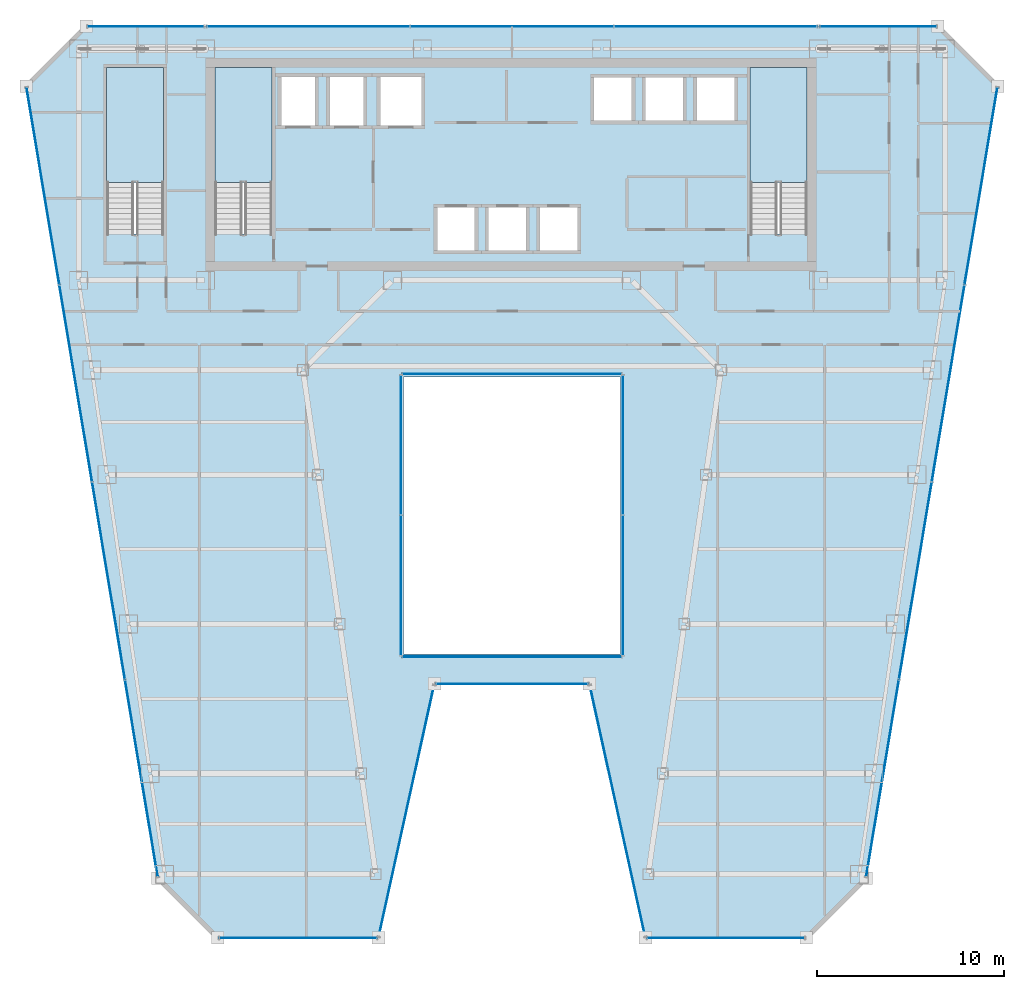
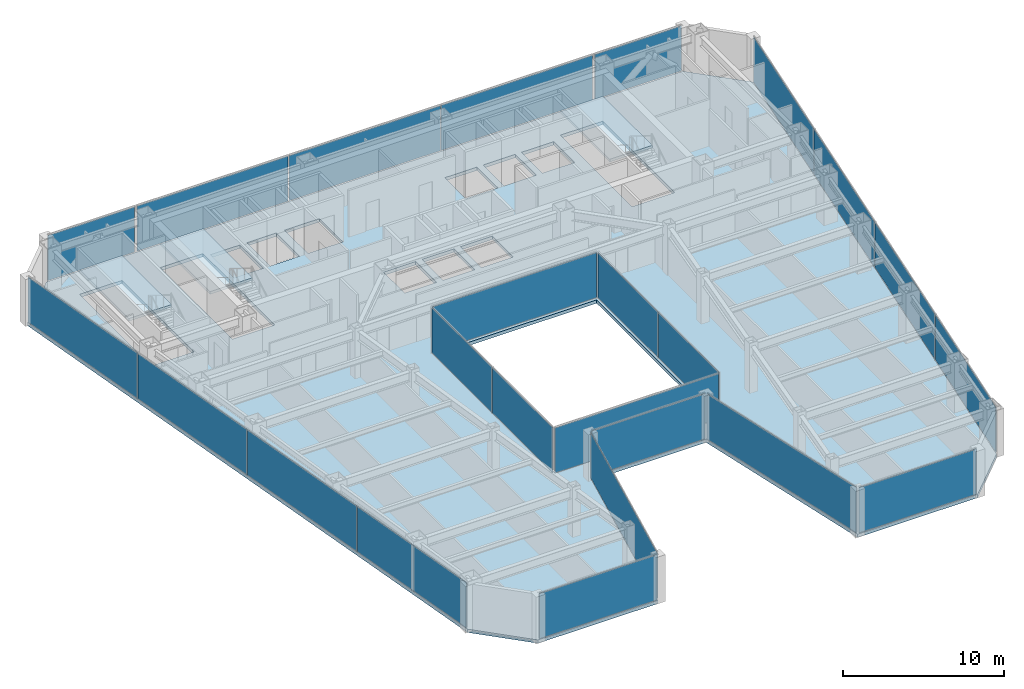
# One storey, part 30 of 38: 24 plates, 4 slabs, 17 elements without a shape of their own.
"""IFC4 building model written with IfcOpenShell, lengths in metres."""

import ifcopenshell
import ifcopenshell.guid

model = None  # the IFC model being written
_history = None  # IfcOwnerHistory: only IFC2X3 demands one
_inside = {}  # id of a spatial element -> (the spatial element, [elements in it])
_under = {}  # id of a project, library or spatial element -> (it, [spatial elements below it])
_declared = {}  # id of a project -> (the project, [libraries it declares])
_typed = {}  # id of a type object -> (the type object, [elements of that type])
_made_of = {}  # id of a material, layer set ... -> (it, [elements and type objects made of it])


def new_model(schema):
    """Start an empty IFC model of exactly this schema.

    Asked for "IFC4X3", IfcOpenShell would pick the latest addendum, in which some entities
    have other attributes; the version numbers below select the first issue.
    IFC2X3 requires an IfcOwnerHistory on every rooted entity: one is made here for all.
    """
    global model, _history
    if schema == "IFC4X3":
        model = ifcopenshell.file(schema_version=(4, 3, 0, 0))
    else:
        model = ifcopenshell.file(schema=schema)
    _inside.clear()
    _under.clear()
    _declared.clear()
    _typed.clear()
    _made_of.clear()
    _history = None
    if model.schema == "IFC2X3":
        org = make("IfcOrganization", Name="unknown")
        user = make(
            "IfcPersonAndOrganization",
            ThePerson=make("IfcPerson", FamilyName="unknown"),
            TheOrganization=org,
        )
        app = make(
            "IfcApplication",
            ApplicationDeveloper=org,
            Version="unknown",
            ApplicationFullName="unknown",
            ApplicationIdentifier="unknown",
        )
        _history = make(
            "IfcOwnerHistory",
            OwningUser=user,
            OwningApplication=app,
            ChangeAction="ADDED",
            CreationDate=0,
        )
    return model


def make(cls, **values):
    """One entity of the class cls with the attributes given. An attribute that is None is left unset."""
    return model.create_entity(
        cls, **{name: value for name, value in values.items() if value is not None}
    )


def rooted(cls, **values):
    """An entity with a GlobalId (a new one), such as an element, a storey or a relation."""
    return make(cls, GlobalId=ifcopenshell.guid.new(), OwnerHistory=_history, **values)


def si_unit(unit_type, name, prefix=None):
    """IfcSIUnit, for example si_unit("LENGTHUNIT", "METRE", prefix="MILLI")."""
    return make("IfcSIUnit", UnitType=unit_type, Prefix=prefix, Name=name)


def assignment(units):
    """IfcUnitAssignment: the units of a project."""
    return None if units is None else make("IfcUnitAssignment", Units=units)


def point(xyz):
    """IfcCartesianPoint."""
    return None if xyz is None else make("IfcCartesianPoint", Coordinates=xyz)


def direction(xyz):
    """IfcDirection."""
    return None if xyz is None else make("IfcDirection", DirectionRatios=xyz)


def frame(location, z_axis=None, x_axis=None):
    """IfcAxis2Placement3D, a coordinate frame: its origin and axes. An axis left out is left unset."""
    return make(
        "IfcAxis2Placement3D",
        Location=point(location),
        Axis=direction(z_axis),
        RefDirection=direction(x_axis),
    )


def frame_2d(location, x_axis=None):
    """IfcAxis2Placement2D, a coordinate frame in the plane: its origin and x axis."""
    return make(
        "IfcAxis2Placement2D", Location=point(location), RefDirection=direction(x_axis)
    )


def origin():
    """The frame at (0, 0, 0) with its axes left unset."""
    return frame((0.0, 0.0, 0.0))


def origin_2d():
    """The frame at (0, 0) in the plane with its x axis left unset."""
    return frame_2d((0.0, 0.0))


def place(relative_to, where):
    """IfcLocalPlacement: puts the frame where relative to a parent placement (None: the world)."""
    return make(
        "IfcLocalPlacement", PlacementRelTo=relative_to, RelativePlacement=where
    )


def context(
    kind, dimensions, precision=None, world=None, true_north=None, identifier=None
):
    """IfcGeometricRepresentationContext, for example the 3D "Model" context."""
    return make(
        "IfcGeometricRepresentationContext",
        ContextIdentifier=identifier,
        ContextType=kind,
        CoordinateSpaceDimension=dimensions,
        Precision=precision,
        WorldCoordinateSystem=world,
        TrueNorth=true_north,
    )


def subcontext(parent, identifier, kind, view, scale=None):
    """IfcGeometricRepresentationSubContext, for example "Body" below "Model"."""
    return make(
        "IfcGeometricRepresentationSubContext",
        ContextIdentifier=identifier,
        ContextType=kind,
        ParentContext=parent,
        TargetScale=scale,
        TargetView=view,
    )


def project(units=None, contexts=None):
    """IfcProject with its units and contexts."""
    return rooted(
        "IfcProject",
        Name="project",
        RepresentationContexts=contexts,
        UnitsInContext=assignment(units),
    )


def spatial(cls, under=None, at=None, **own):
    """A site, building, storey or space (cls), placed at a placement, below another one or the project."""
    s = rooted(cls, ObjectPlacement=at, **own)
    if under is not None:
        _under.setdefault(under.id(), (under, []))[1].append(s)
    return s


def polyline(points):
    """IfcPolyline through the points."""
    return make("IfcPolyline", Points=[point(p) for p in points])


def profile(cls, at=None, kind="AREA", **sizes):
    """A parametric profile (cls). Its sizes go by their IFC names, for example OverallWidth=200.0."""
    return make(cls, ProfileType=kind, Position=at, **sizes)


def rectangle(**sizes):
    """IfcRectangleProfileDef."""
    return profile("IfcRectangleProfileDef", **sizes)


def outline(outer, holes=None, kind="AREA"):
    """IfcArbitraryClosedProfileDef: a profile drawn as a closed curve; with holes, ...WithVoids."""
    if holes is None:
        return make("IfcArbitraryClosedProfileDef", ProfileType=kind, OuterCurve=outer)
    return make(
        "IfcArbitraryProfileDefWithVoids",
        ProfileType=kind,
        OuterCurve=outer,
        InnerCurves=holes,
    )


def extrude(swept, where, along, depth):
    """IfcExtrudedAreaSolid: the profile swept, set in the frame where, extruded along a direction by depth."""
    return make(
        "IfcExtrudedAreaSolid",
        SweptArea=swept,
        Position=where,
        ExtrudedDirection=direction(along),
        Depth=depth,
    )


def shape(context_of_items, identifier, shape_type, items):
    """IfcShapeRepresentation: the items that make up one representation, for example the "Body"."""
    return make(
        "IfcShapeRepresentation",
        ContextOfItems=context_of_items,
        RepresentationIdentifier=identifier,
        RepresentationType=shape_type,
        Items=items,
    )


def material(Name=None, Category=None):
    """IfcMaterial."""
    return make("IfcMaterial", Name=Name, Category=Category)


def layer(
    of_material, thickness, ventilated=None, Name=None, Category=None, Priority=None
):
    """IfcMaterialLayer: one layer of a wall or slab, of a material (None: an air gap)."""
    return make(
        "IfcMaterialLayer",
        Material=of_material,
        LayerThickness=thickness,
        IsVentilated=ventilated,
        Name=Name,
        Category=Category,
        Priority=Priority,
    )


def layer_set(layers, Name=None):
    """IfcMaterialLayerSet."""
    return make("IfcMaterialLayerSet", MaterialLayers=layers, LayerSetName=Name)


def made_of(thing, what):
    """Note that an element or type object is made of a material, layer set ...; save() writes the relation."""
    if what is not None:
        _made_of.setdefault(what.id(), (what, []))[1].append(thing)
    return thing


def type_object(cls, material=None, **own):
    """A type object (cls), such as IfcWallType, which elements share."""
    return made_of(rooted(cls, **own), material)


def element(
    cls,
    number,
    at=None,
    inside=None,
    cuts=None,
    type_object=None,
    material=None,
    context=None,
    identifier="Body",
    shape_type=None,
    held_by="IfcProductDefinitionShape",
    body=None,
    shapes=None,
    **own,
):
    """One element of the class cls, such as IfcWall. Its Tag is "e" and its number.

    at: its placement. inside: the storey or other place that contains it. cuts: it is an
    opening in that element (IfcRelVoidsElement). A single representation is given by context,
    identifier, shape_type and body (its items); several are given by shapes. held_by: the class
    of the entity that holds the representations. save() writes the other relations.
    """
    e = rooted(cls, Tag="e%d" % number, ObjectPlacement=at, **own)
    if body is not None:
        shapes = [shape(context, identifier, shape_type, body)]
    if shapes is not None:
        e.Representation = make(held_by, Representations=shapes)
    if inside is not None:
        _inside.setdefault(inside.id(), (inside, []))[1].append(e)
    if cuts is not None:
        rooted(
            "IfcRelVoidsElement", RelatingBuildingElement=cuts, RelatedOpeningElement=e
        )
    if type_object is not None:
        _typed.setdefault(type_object.id(), (type_object, []))[1].append(e)
    return made_of(e, material)


def aggregate(whole, parts):
    """IfcRelAggregates: a whole, such as a stair, and the parts it consists of."""
    return rooted("IfcRelAggregates", RelatingObject=whole, RelatedObjects=parts)


def save(model, path):
    """Write the relations noted so far, then the file.

    IfcRelAggregates (storeys below a building ...), IfcRelContainedInSpatialStructure (elements
    in a storey), IfcRelDefinesByType, IfcRelAssociatesMaterial and IfcRelDeclares: one each for
    every whole, place, type object, material and project.
    """
    for whole, parts in _under.values():
        aggregate(whole, parts)
    for where, things in _inside.values():
        rooted(
            "IfcRelContainedInSpatialStructure",
            RelatedElements=things,
            RelatingStructure=where,
        )
    for kind, things in _typed.values():
        rooted("IfcRelDefinesByType", RelatedObjects=things, RelatingType=kind)
    for what, things in _made_of.values():
        rooted("IfcRelAssociatesMaterial", RelatedObjects=things, RelatingMaterial=what)
    for by, libraries in _declared.values():
        rooted("IfcRelDeclares", RelatingContext=by, RelatedDefinitions=libraries)
    model.write(path)


model = new_model("IFC4")

# Units and contexts
model_context = context("Model", 3, precision=1e-05, world=origin(), true_north=direction((0.0, 1.0)))
body_context = subcontext(model_context, "Body", "Model", "MODEL_VIEW")
ifc_project = project(units=[si_unit("LENGTHUNIT", "METRE"), si_unit("AREAUNIT", "SQUARE_METRE"), si_unit("VOLUMEUNIT", "CUBIC_METRE"), si_unit("PLANEANGLEUNIT", "RADIAN"), si_unit("MASSUNIT", "GRAM", prefix="KILO")], contexts=[model_context])

# Site, building, storey
site_placement = place(None, origin())
site = spatial("IfcSite", under=ifc_project, at=site_placement, CompositionType="ELEMENT")
building_placement = place(site_placement, origin())
building = spatial("IfcBuilding", under=site, at=building_placement, Name="Saevonmaru Cultural Tower", CompositionType="ELEMENT")
storey_placement = place(building_placement, frame((0.0, 0.0, 137.199951171875)))
storey = spatial("IfcBuildingStorey", under=building, at=storey_placement, Name="L29", CompositionType="ELEMENT", Elevation=137.199951171875)

# Curtain wall, plate
ifc_material_1 = material(Name="Satin Bronze Anodised Aluminium", Category="aluminium")
curtain_wall_type_1 = type_object("IfcCurtainWallType", Name="CW-ATR-GLZ", PredefinedType="NOTDEFINED", material=ifc_material_1)
curtain_wall_1_placement = place(storey_placement, origin())
curtain_wall_1 = element("IfcCurtainWall", 1, at=curtain_wall_1_placement, inside=storey, type_object=curtain_wall_type_1, Name="L29 Vertical Atrium Glazed Smoke Screen 1", PredefinedType="NOTDEFINED")
ifc_material_2 = material(Name="Fire-Rated Laminated Atrium Glass", Category="glass")
ifc_layer_1 = layer(ifc_material_2, 0.031982421875, Name="Fire-Rated Laminated Atrium Glass")
ifc_layer_set_1 = layer_set([ifc_layer_1], Name="Fire-Rated Laminated Atrium Glass")
plate_type_1 = type_object("IfcPlateType", Name="PN-GLZ-ATR-INT", PredefinedType="CURTAIN_PANEL", material=ifc_layer_set_1)
plate_1_placement = place(storey_placement, frame((30.0, 22.25, 0.067138671875), z_axis=(0.0, 0.0, 1.0), x_axis=(1.0, 0.0, 0.0)))
plate_1 = element("IfcPlate", 2, at=plate_1_placement, type_object=plate_type_1, Name="CW-ATR-L29-1 panel 1.1", PredefinedType="CURTAIN_PANEL", context=body_context, shape_type="SweptSolid", body=[
    extrude(rectangle(XDim=11.7109375, YDim=0.031982421875, at=origin_2d()), origin(), (0.0, 0.0, 1.0), 3.416015625),
])
aggregate(curtain_wall_1, [plate_1])

# Curtain wall, plates
curtain_wall_2_placement = place(storey_placement, origin())
curtain_wall_2 = element("IfcCurtainWall", 3, at=curtain_wall_2_placement, inside=storey, type_object=curtain_wall_type_1, Name="L29 Vertical Atrium Glazed Smoke Screen 2", PredefinedType="NOTDEFINED")
plate_2_placement = place(storey_placement, frame((35.949951171875, 26.06494140625, 0.067138671875), z_axis=(0.0, 0.0, 1.0), x_axis=(0.0, 1.0, 0.0)))
plate_2 = element("IfcPlate", 4, at=plate_2_placement, type_object=plate_type_1, Name="CW-ATR-L29-2 panel 1.1", PredefinedType="CURTAIN_PANEL", context=body_context, shape_type="SweptSolid", body=[
    extrude(rectangle(XDim=7.44091796875, YDim=0.031982421875, at=origin_2d()), origin(), (0.0, 0.0, 1.0), 3.416015625),
])
plate_3_placement = place(storey_placement, frame((35.949951171875, 33.574951171875, 0.067138671875), z_axis=(0.0, 0.0, 1.0), x_axis=(0.0, 1.0, 0.0)))
plate_3 = element("IfcPlate", 5, at=plate_3_placement, type_object=plate_type_1, Name="CW-ATR-L29-2 panel 2.1", PredefinedType="CURTAIN_PANEL", context=body_context, shape_type="SweptSolid", body=[
    extrude(rectangle(XDim=7.44091796875, YDim=0.031982421875, at=origin_2d()), origin(), (0.0, 0.0, 1.0), 3.416015625),
])
aggregate(curtain_wall_2, [plate_2, plate_3])

# Curtain wall, plate
curtain_wall_3_placement = place(storey_placement, origin())
curtain_wall_3 = element("IfcCurtainWall", 6, at=curtain_wall_3_placement, inside=storey, type_object=curtain_wall_type_1, Name="L29 Vertical Atrium Glazed Smoke Screen 3", PredefinedType="NOTDEFINED")
plate_4_placement = place(storey_placement, frame((30.0, 37.389892578125, 0.067138671875), z_axis=(0.0, 0.0, 1.0), x_axis=(-1.0, 0.0, 0.0)))
plate_4 = element("IfcPlate", 7, at=plate_4_placement, type_object=plate_type_1, Name="CW-ATR-L29-3 panel 1.1", PredefinedType="CURTAIN_PANEL", context=body_context, shape_type="SweptSolid", body=[
    extrude(rectangle(XDim=11.7109375, YDim=0.031982421875, at=origin_2d()), origin(), (0.0, 0.0, 1.0), 3.416015625),
])
aggregate(curtain_wall_3, [plate_4])

# Curtain wall, plates
curtain_wall_4_placement = place(storey_placement, origin())
curtain_wall_4 = element("IfcCurtainWall", 8, at=curtain_wall_4_placement, inside=storey, type_object=curtain_wall_type_1, Name="L29 Vertical Atrium Glazed Smoke Screen 4", PredefinedType="NOTDEFINED")
plate_5_placement = place(storey_placement, frame((24.050048828125, 33.574951171875, 0.067138671875), z_axis=(0.0, 0.0, 1.0), x_axis=(0.0, -1.0, 0.0)))
plate_5 = element("IfcPlate", 9, at=plate_5_placement, type_object=plate_type_1, Name="CW-ATR-L29-4 panel 1.1", PredefinedType="CURTAIN_PANEL", context=body_context, shape_type="SweptSolid", body=[
    extrude(rectangle(XDim=7.44091796875, YDim=0.031982421875, at=origin_2d()), origin(), (0.0, 0.0, 1.0), 3.416015625),
])
plate_6_placement = place(storey_placement, frame((24.050048828125, 26.06494140625, 0.067138671875), z_axis=(0.0, 0.0, 1.0), x_axis=(0.0, -1.0, 0.0)))
plate_6 = element("IfcPlate", 10, at=plate_6_placement, type_object=plate_type_1, Name="CW-ATR-L29-4 panel 2.1", PredefinedType="CURTAIN_PANEL", context=body_context, shape_type="SweptSolid", body=[
    extrude(rectangle(XDim=7.44091796875, YDim=0.031982421875, at=origin_2d()), origin(), (0.0, 0.0, 1.0), 3.416015625),
])
aggregate(curtain_wall_4, [plate_5, plate_6])

# Curtain wall, plate
curtain_wall_type_2 = type_object("IfcCurtainWallType", Name="CW-TYP-A", PredefinedType="NOTDEFINED", material=ifc_material_1)
curtain_wall_5_placement = place(storey_placement, origin())
curtain_wall_5 = element("IfcCurtainWall", 11, at=curtain_wall_5_placement, inside=storey, type_object=curtain_wall_type_2, Name="L29 Unitised Curtain Wall E2", PredefinedType="NOTDEFINED")
ifc_material_3 = material(Name="Triple Silver Low-E Insulating Glass", Category="glass")
ifc_layer_2 = layer(ifc_material_3, 0.035888671875, Name="Triple Silver Low-E Insulating Glass")
ifc_layer_set_2 = layer_set([ifc_layer_2], Name="Triple Silver Low-E Insulating Glass")
plate_type_2 = type_object("IfcPlateType", Name="PN-GLZ-IGU", PredefinedType="CURTAIN_PANEL", material=ifc_layer_set_2)
plate_7_placement = place(storey_placement, frame((18.548828125, 7.199951171875, 0.067138671875), z_axis=(0.0, 0.0, 1.0), x_axis=(1.0, 0.0, 0.0)))
plate_7 = element("IfcPlate", 12, at=plate_7_placement, type_object=plate_type_2, Name="CW-TW-L29-E2 panel 1.1", PredefinedType="CURTAIN_PANEL", context=body_context, shape_type="SweptSolid", body=[
    extrude(rectangle(XDim=8.410888671875, YDim=0.035888671875, at=origin_2d()), origin(), (0.0, 0.0, 1.0), 3.416015625),
])
aggregate(curtain_wall_5, [plate_7])

curtain_wall_6_placement = place(storey_placement, origin())
curtain_wall_6 = element("IfcCurtainWall", 13, at=curtain_wall_6_placement, inside=storey, type_object=curtain_wall_type_2, Name="L29 Unitised Curtain Wall E3", PredefinedType="NOTDEFINED")
plate_8_placement = place(storey_placement, frame((24.348876953125, 14.0, 0.067138671875), z_axis=(0.0, 0.0, 1.0), x_axis=(0.215413319953, 0.976522965212, 0.0)))
plate_8 = element("IfcPlate", 14, at=plate_8_placement, type_object=plate_type_2, Name="CW-TW-L29-E3 panel 1.1", PredefinedType="CURTAIN_PANEL", context=body_context, shape_type="SweptSolid", body=[
    extrude(rectangle(XDim=13.738037109375, YDim=0.035888671875, at=origin_2d()), origin(), (0.0, 0.0, 1.0), 3.416015625),
])
aggregate(curtain_wall_6, [plate_8])

curtain_wall_7_placement = place(storey_placement, origin())
curtain_wall_7 = element("IfcCurtainWall", 15, at=curtain_wall_7_placement, inside=storey, type_object=curtain_wall_type_2, Name="L29 Unitised Curtain Wall E4", PredefinedType="NOTDEFINED")
plate_9_placement = place(storey_placement, frame((30.0, 20.800048828125, 0.067138671875), z_axis=(0.0, 0.0, 1.0), x_axis=(1.0, 0.0, 0.0)))
plate_9 = element("IfcPlate", 16, at=plate_9_placement, type_object=plate_type_2, Name="CW-TW-L29-E4 panel 1.1", PredefinedType="CURTAIN_PANEL", context=body_context, shape_type="SweptSolid", body=[
    extrude(rectangle(XDim=8.11328125, YDim=0.035888671875, at=origin_2d()), origin(), (0.0, 0.0, 1.0), 3.416015625),
])
aggregate(curtain_wall_7, [plate_9])

curtain_wall_8_placement = place(storey_placement, origin())
curtain_wall_8 = element("IfcCurtainWall", 17, at=curtain_wall_8_placement, inside=storey, type_object=curtain_wall_type_2, Name="L29 Unitised Curtain Wall E5", PredefinedType="NOTDEFINED")
plate_10_placement = place(storey_placement, frame((35.651123046875, 14.0, 0.067138671875), z_axis=(0.0, 0.0, 1.0), x_axis=(0.215413319953, -0.976522965212, 0.0)))
plate_10 = element("IfcPlate", 18, at=plate_10_placement, type_object=plate_type_2, Name="CW-TW-L29-E5 panel 1.1", PredefinedType="CURTAIN_PANEL", context=body_context, shape_type="SweptSolid", body=[
    extrude(rectangle(XDim=13.738037109375, YDim=0.035888671875, at=origin_2d()), origin(), (0.0, 0.0, 1.0), 3.416015625),
])
aggregate(curtain_wall_8, [plate_10])

curtain_wall_9_placement = place(storey_placement, origin())
curtain_wall_9 = element("IfcCurtainWall", 19, at=curtain_wall_9_placement, inside=storey, type_object=curtain_wall_type_2, Name="L29 Unitised Curtain Wall E6", PredefinedType="NOTDEFINED")
plate_11_placement = place(storey_placement, frame((41.451171875, 7.199951171875, 0.067138671875), z_axis=(0.0, 0.0, 1.0), x_axis=(1.0, 0.0, 0.0)))
plate_11 = element("IfcPlate", 20, at=plate_11_placement, type_object=plate_type_2, Name="CW-TW-L29-E6 panel 1.1", PredefinedType="CURTAIN_PANEL", context=body_context, shape_type="SweptSolid", body=[
    extrude(rectangle(XDim=8.410888671875, YDim=0.035888671875, at=origin_2d()), origin(), (0.0, 0.0, 1.0), 3.416015625),
])
aggregate(curtain_wall_9, [plate_11])

# Curtain wall, plates
curtain_wall_10_placement = place(storey_placement, origin())
curtain_wall_10 = element("IfcCurtainWall", 21, at=curtain_wall_10_placement, inside=storey, type_object=curtain_wall_type_2, Name="L29 Unitised Curtain Wall E8", PredefinedType="NOTDEFINED")
plate_12_placement = place(storey_placement, frame((49.839599609375, 15.744384765625, 0.067138671875), z_axis=(0.0, 0.0, 1.0), x_axis=(0.163998702345, 0.986460554523, 0.0)))
plate_12 = element("IfcPlate", 22, at=plate_12_placement, type_object=plate_type_2, Name="CW-TW-L29-E8 panel 1.1", PredefinedType="CURTAIN_PANEL", context=body_context, shape_type="SweptSolid", body=[
    extrude(rectangle(XDim=10.646484375, YDim=0.035888671875, at=origin_2d()), origin(), (0.0, 0.0, 1.0), 3.416015625),
])
plate_13_placement = place(storey_placement, frame((51.596923828125, 26.314697265625, 0.067138671875), z_axis=(0.0, 0.0, 1.0), x_axis=(0.163998702345, 0.986460554523, 0.0)))
plate_13 = element("IfcPlate", 23, at=plate_13_placement, type_object=plate_type_2, Name="CW-TW-L29-E8 panel 2.1", PredefinedType="CURTAIN_PANEL", context=body_context, shape_type="SweptSolid", body=[
    extrude(rectangle(XDim=10.646484375, YDim=0.035888671875, at=origin_2d()), origin(), (0.0, 0.0, 1.0), 3.416015625),
])
plate_14_placement = place(storey_placement, frame((53.354248046875, 36.88525390625, 0.067138671875), z_axis=(0.0, 0.0, 1.0), x_axis=(0.163998702345, 0.986460554523, 0.0)))
plate_14 = element("IfcPlate", 24, at=plate_14_placement, type_object=plate_type_2, Name="CW-TW-L29-E8 panel 3.1", PredefinedType="CURTAIN_PANEL", context=body_context, shape_type="SweptSolid", body=[
    extrude(rectangle(XDim=10.646484375, YDim=0.035888671875, at=origin_2d()), origin(), (0.0, 0.0, 1.0), 3.416015625),
])
plate_15_placement = place(storey_placement, frame((55.111572265625, 47.45556640625, 0.067138671875), z_axis=(0.0, 0.0, 1.0), x_axis=(0.163998702345, 0.986460554523, 0.0)))
plate_15 = element("IfcPlate", 25, at=plate_15_placement, type_object=plate_type_2, Name="CW-TW-L29-E8 panel 4.1", PredefinedType="CURTAIN_PANEL", context=body_context, shape_type="SweptSolid", body=[
    extrude(rectangle(XDim=10.646484375, YDim=0.035888671875, at=origin_2d()), origin(), (0.0, 0.0, 1.0), 3.416015625),
])
aggregate(curtain_wall_10, [plate_12, plate_13, plate_14, plate_15])

curtain_wall_11_placement = place(storey_placement, origin())
curtain_wall_11 = element("IfcCurtainWall", 26, at=curtain_wall_11_placement, inside=storey, type_object=curtain_wall_type_2, Name="L29 North Spine Unitised Curtain Wall E10B", PredefinedType="NOTDEFINED")
plate_16_placement = place(storey_placement, frame((40.893310546875, 56.0, 0.067138671875), z_axis=(0.0, 0.0, 1.0), x_axis=(-1.0, 0.0, 0.0)))
plate_16 = element("IfcPlate", 27, at=plate_16_placement, type_object=plate_type_2, Name="CW-TW-L29-E10B panel 1.1", PredefinedType="CURTAIN_PANEL", context=body_context, shape_type="SweptSolid", body=[
    extrude(rectangle(XDim=10.82421875, YDim=0.035888671875, at=origin_2d()), origin(), (0.0, 0.0, 1.0), 3.416015625),
])
plate_17_placement = place(storey_placement, frame((30.0, 56.0, 0.067138671875), z_axis=(0.0, 0.0, 1.0), x_axis=(-1.0, 0.0, 0.0)))
plate_17 = element("IfcPlate", 28, at=plate_17_placement, type_object=plate_type_2, Name="CW-TW-L29-E10B panel 2.1", PredefinedType="CURTAIN_PANEL", context=body_context, shape_type="SweptSolid", body=[
    extrude(rectangle(XDim=10.82421875, YDim=0.035888671875, at=origin_2d()), origin(), (0.0, 0.0, 1.0), 3.416015625),
])
plate_18_placement = place(storey_placement, frame((19.106689453125, 56.0, 0.067138671875), z_axis=(0.0, 0.0, 1.0), x_axis=(-1.0, 0.0, 0.0)))
plate_18 = element("IfcPlate", 29, at=plate_18_placement, type_object=plate_type_2, Name="CW-TW-L29-E10B panel 3.1", PredefinedType="CURTAIN_PANEL", context=body_context, shape_type="SweptSolid", body=[
    extrude(rectangle(XDim=10.82421875, YDim=0.035888671875, at=origin_2d()), origin(), (0.0, 0.0, 1.0), 3.416015625),
])
aggregate(curtain_wall_11, [plate_16, plate_17, plate_18])

curtain_wall_12_placement = place(storey_placement, origin())
curtain_wall_12 = element("IfcCurtainWall", 30, at=curtain_wall_12_placement, inside=storey, type_object=curtain_wall_type_2, Name="L29 Unitised Curtain Wall E12", PredefinedType="NOTDEFINED")
plate_19_placement = place(storey_placement, frame((4.888427734375, 47.45556640625, 0.067138671875), z_axis=(0.0, 0.0, 1.0), x_axis=(0.163998702345, -0.986460554523, 0.0)))
plate_19 = element("IfcPlate", 31, at=plate_19_placement, type_object=plate_type_2, Name="CW-TW-L29-E12 panel 1.1", PredefinedType="CURTAIN_PANEL", context=body_context, shape_type="SweptSolid", body=[
    extrude(rectangle(XDim=10.646484375, YDim=0.035888671875, at=origin_2d()), origin(), (0.0, 0.0, 1.0), 3.416015625),
])
plate_20_placement = place(storey_placement, frame((6.645751953125, 36.88525390625, 0.067138671875), z_axis=(0.0, 0.0, 1.0), x_axis=(0.163998702345, -0.986460554523, 0.0)))
plate_20 = element("IfcPlate", 32, at=plate_20_placement, type_object=plate_type_2, Name="CW-TW-L29-E12 panel 2.1", PredefinedType="CURTAIN_PANEL", context=body_context, shape_type="SweptSolid", body=[
    extrude(rectangle(XDim=10.646484375, YDim=0.035888671875, at=origin_2d()), origin(), (0.0, 0.0, 1.0), 3.416015625),
])
plate_21_placement = place(storey_placement, frame((8.403076171875, 26.314697265625, 0.067138671875), z_axis=(0.0, 0.0, 1.0), x_axis=(0.163998702345, -0.986460554523, 0.0)))
plate_21 = element("IfcPlate", 33, at=plate_21_placement, type_object=plate_type_2, Name="CW-TW-L29-E12 panel 3.1", PredefinedType="CURTAIN_PANEL", context=body_context, shape_type="SweptSolid", body=[
    extrude(rectangle(XDim=10.646484375, YDim=0.035888671875, at=origin_2d()), origin(), (0.0, 0.0, 1.0), 3.416015625),
])
plate_22_placement = place(storey_placement, frame((10.160400390625, 15.744384765625, 0.067138671875), z_axis=(0.0, 0.0, 1.0), x_axis=(0.163998702345, -0.986460554523, 0.0)))
plate_22 = element("IfcPlate", 34, at=plate_22_placement, type_object=plate_type_2, Name="CW-TW-L29-E12 panel 4.1", PredefinedType="CURTAIN_PANEL", context=body_context, shape_type="SweptSolid", body=[
    extrude(rectangle(XDim=10.646484375, YDim=0.035888671875, at=origin_2d()), origin(), (0.0, 0.0, 1.0), 3.416015625),
])
aggregate(curtain_wall_12, [plate_19, plate_20, plate_21, plate_22])

# Curtain wall, plate
curtain_wall_13_placement = place(storey_placement, origin())
curtain_wall_13 = element("IfcCurtainWall", 35, at=curtain_wall_13_placement, inside=storey, type_object=curtain_wall_type_2, Name="L29 East Braced Bay Spandrel Curtain Wall E10A", PredefinedType="NOTDEFINED")
ifc_material_4 = material(Name="Insulated Satin Bronze Aluminium Spandrel Panel", Category="aluminium")
ifc_layer_3 = layer(ifc_material_4, 0.0400390625, Name="Insulated Satin Bronze Aluminium Spandrel Panel")
ifc_layer_set_3 = layer_set([ifc_layer_3], Name="Insulated Satin Bronze Aluminium Spandrel Panel")
plate_type_3 = type_object("IfcPlateType", Name="PN-SPANDREL-BRONZE", PredefinedType="CURTAIN_PANEL", material=ifc_layer_set_3)
plate_23_placement = place(storey_placement, frame((49.60009765625, 56.0, 0.067138671875), z_axis=(0.0, 0.0, 1.0), x_axis=(-1.0, 0.0, 0.0)))
plate_23 = element("IfcPlate", 36, at=plate_23_placement, type_object=plate_type_3, Name="CW-TW-L29-E10A panel 1.1", PredefinedType="CURTAIN_PANEL", context=body_context, shape_type="SweptSolid", body=[
    extrude(rectangle(XDim=6.2109375, YDim=0.035888671875, at=origin_2d()), origin(), (0.0, 0.0, 1.0), 3.416015625),
])
aggregate(curtain_wall_13, [plate_23])

curtain_wall_14_placement = place(storey_placement, origin())
curtain_wall_14 = element("IfcCurtainWall", 37, at=curtain_wall_14_placement, inside=storey, type_object=curtain_wall_type_2, Name="L29 West Braced Bay Spandrel Curtain Wall E10C", PredefinedType="NOTDEFINED")
plate_24_placement = place(storey_placement, frame((10.39990234375, 56.0, 0.067138671875), z_axis=(0.0, 0.0, 1.0), x_axis=(-1.0, 0.0, 0.0)))
plate_24 = element("IfcPlate", 38, at=plate_24_placement, type_object=plate_type_3, Name="CW-TW-L29-E10C panel 1.1", PredefinedType="CURTAIN_PANEL", context=body_context, shape_type="SweptSolid", body=[
    extrude(rectangle(XDim=6.2109375, YDim=0.035888671875, at=origin_2d()), origin(), (0.0, 0.0, 1.0), 3.416015625),
])
aggregate(curtain_wall_14, [plate_24])

# Slab
ifc_material_5 = material(Name="Concrete C40/50", Category="concrete")
ifc_layer_4 = layer(ifc_material_5, 0.25, Name="Concrete C40/50")
ifc_layer_set_4 = layer_set([ifc_layer_4], Name="Concrete C40/50")
slab_type_1 = type_object("IfcSlabType", Name="SL-FLR-250", PredefinedType="FLOOR", material=ifc_layer_set_4)
slab_1_placement = place(storey_placement, frame((0.0, 0.0, -0.25)))
element("IfcSlab", 39, at=slab_1_placement, inside=storey, type_object=slab_type_1, Name="L29 Tower Structural Floor Slab", PredefinedType="FLOOR", context=body_context, shape_type="SweptSolid", body=[
    extrude(outline(polyline([(11.048828125, 10.39990234375), (14.248779296875, 7.199951171875), (22.848876953125, 7.199951171875), (25.848876953125, 20.800048828125), (34.151123046875, 20.800048828125), (37.151123046875, 7.199951171875), (45.751220703125, 7.199951171875), (48.951171875, 10.39990234375), (56.0, 52.800048828125), (52.800048828125, 56.0), (7.199951171875, 56.0), (4.0, 52.800048828125), (11.048828125, 10.39990234375)]), holes=[polyline([(45.800048828125, 44.875), (42.75, 44.875), (42.75, 53.800048828125), (45.800048828125, 53.800048828125), (45.800048828125, 44.875)]), polyline([(39.75, 50.800048828125), (39.75, 53.39990234375), (42.050048828125, 53.39990234375), (42.050048828125, 50.800048828125), (39.75, 50.800048828125)]), polyline([(37.0, 50.800048828125), (37.0, 53.39990234375), (39.300048828125, 53.39990234375), (39.300048828125, 50.800048828125), (37.0, 50.800048828125)]), polyline([(34.25, 50.800048828125), (34.25, 53.39990234375), (36.550048828125, 53.39990234375), (36.550048828125, 50.800048828125), (34.25, 50.800048828125)]), polyline([(24.199951171875, 22.39990234375), (24.199951171875, 37.239990234375), (35.800048828125, 37.239990234375), (35.800048828125, 22.39990234375), (24.199951171875, 22.39990234375)]), polyline([(31.35009765625, 43.85009765625), (31.35009765625, 46.449951171875), (33.64990234375, 46.449951171875), (33.64990234375, 43.85009765625), (31.35009765625, 43.85009765625)]), polyline([(28.60009765625, 43.85009765625), (28.60009765625, 46.449951171875), (30.89990234375, 46.449951171875), (30.89990234375, 43.85009765625), (28.60009765625, 43.85009765625)]), polyline([(28.14990234375, 43.85009765625), (25.85009765625, 43.85009765625), (25.85009765625, 46.449951171875), (28.14990234375, 46.449951171875), (28.14990234375, 43.85009765625)]), polyline([(25.300048828125, 50.550048828125), (22.800048828125, 50.550048828125), (22.800048828125, 53.449951171875), (25.300048828125, 53.449951171875), (25.300048828125, 50.550048828125)]), polyline([(20.10009765625, 50.550048828125), (20.10009765625, 53.449951171875), (22.199951171875, 53.449951171875), (22.199951171875, 50.550048828125), (20.10009765625, 50.550048828125)]), polyline([(17.5, 50.550048828125), (17.5, 53.449951171875), (19.60009765625, 53.449951171875), (19.60009765625, 50.550048828125), (17.5, 50.550048828125)]), polyline([(17.14990234375, 53.800048828125), (17.14990234375, 44.875), (14.10009765625, 44.875), (14.10009765625, 53.800048828125), (17.14990234375, 53.800048828125)]), polyline([(11.35009765625, 44.875), (8.300048828125, 44.875), (8.300048828125, 53.800048828125), (11.35009765625, 53.800048828125), (11.35009765625, 44.875)])]), origin(), (0.0, 0.0, 1.0), 0.25),
])

# Stair, slab
stair_type = type_object("IfcStairType", Name="STR-DOGLEG-RC", PredefinedType="HALF_TURN_STAIR", material=ifc_material_5)
stair_1_placement = place(storey_placement, origin())
stair_1 = element("IfcStair", 40, at=stair_1_placement, inside=storey, type_object=stair_type, Name="L29 Protected exit stair ST-1", PredefinedType="HALF_TURN_STAIR")
ifc_layer_5 = layer(ifc_material_5, 0.199951171875, Name="Concrete C40/50")
ifc_layer_set_5 = layer_set([ifc_layer_5], Name="Concrete C40/50")
slab_type_2 = type_object("IfcSlabType", Name="SL-STAIR-LANDING", PredefinedType="LANDING", material=ifc_layer_set_5)
slab_2_placement = place(storey_placement, frame((0.0, 0.0, 1.699951171875)))
slab_2 = element("IfcSlab", 41, at=slab_2_placement, type_object=slab_type_2, Name="ST-1-L29 landing 1", PredefinedType="LANDING", context=body_context, shape_type="SweptSolid", body=[
    extrude(outline(polyline([(17.14990234375, 47.64990234375), (17.14990234375, 53.800048828125), (14.10009765625, 53.800048828125), (14.10009765625, 47.64990234375), (17.14990234375, 47.64990234375)])), origin(), (0.0, 0.0, 1.0), 0.2001953125),
])
aggregate(stair_1, [slab_2])

stair_2_placement = place(storey_placement, origin())
stair_2 = element("IfcStair", 42, at=stair_2_placement, inside=storey, type_object=stair_type, Name="L29 Protected exit stair ST-2", PredefinedType="HALF_TURN_STAIR")
slab_3_placement = place(storey_placement, frame((0.0, 0.0, 1.699951171875)))
slab_3 = element("IfcSlab", 43, at=slab_3_placement, type_object=slab_type_2, Name="ST-2-L29 landing 1", PredefinedType="LANDING", context=body_context, shape_type="SweptSolid", body=[
    extrude(outline(polyline([(45.800048828125, 47.64990234375), (45.800048828125, 53.800048828125), (42.75, 53.800048828125), (42.75, 47.64990234375), (45.800048828125, 47.64990234375)])), origin(), (0.0, 0.0, 1.0), 0.2001953125),
])
aggregate(stair_2, [slab_3])

stair_3_placement = place(storey_placement, origin())
stair_3 = element("IfcStair", 44, at=stair_3_placement, inside=storey, type_object=stair_type, Name="L29 Protected exit stair ST-3", PredefinedType="HALF_TURN_STAIR")
slab_4_placement = place(storey_placement, frame((0.0, 0.0, 1.699951171875)))
slab_4 = element("IfcSlab", 45, at=slab_4_placement, type_object=slab_type_2, Name="ST-3-L29 landing 1", PredefinedType="LANDING", context=body_context, shape_type="SweptSolid", body=[
    extrude(outline(polyline([(11.35009765625, 47.64990234375), (11.35009765625, 53.800048828125), (8.300048828125, 53.800048828125), (8.300048828125, 47.64990234375), (11.35009765625, 47.64990234375)])), origin(), (0.0, 0.0, 1.0), 0.2001953125),
])
aggregate(stair_3, [slab_4])

save(model, "model.ifc")
